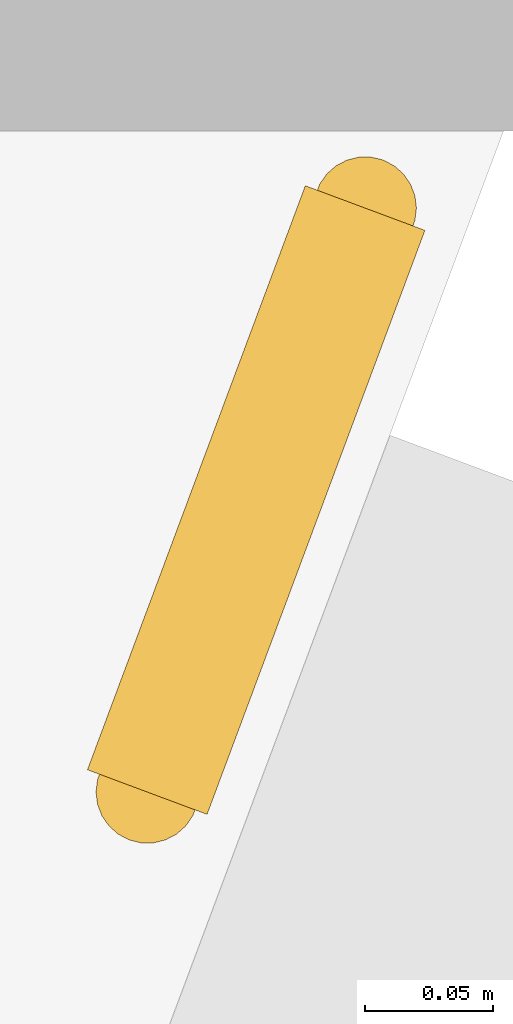
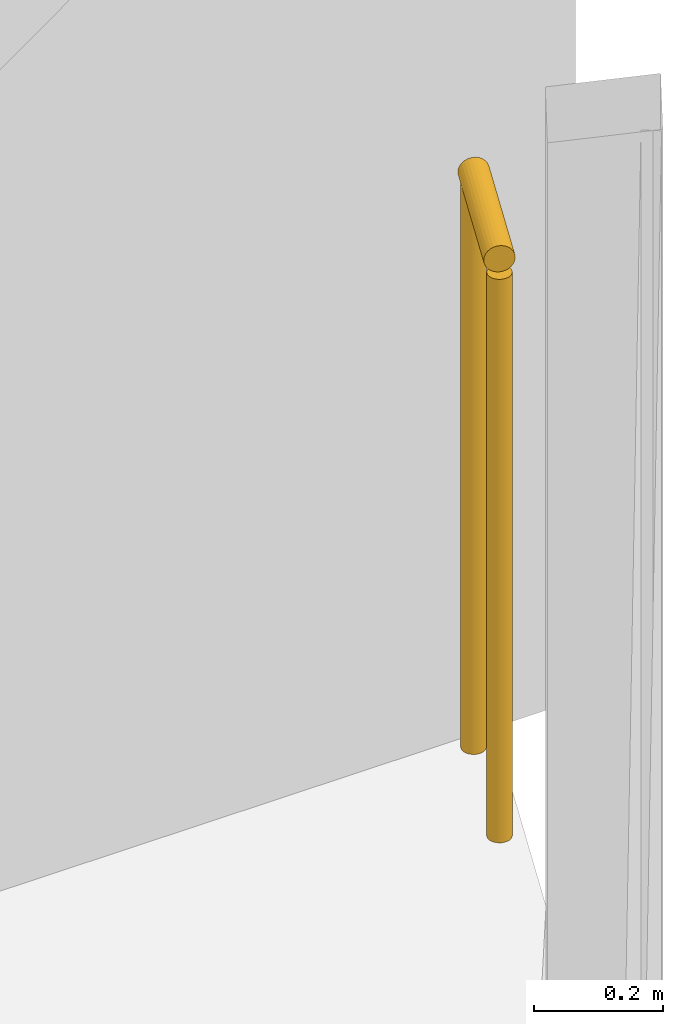
# One storey, part 30 of 31: 1 railing.
"""IFC4 building model written with IfcOpenShell, lengths in metres."""

from ifc_helpers import new_model, si_unit, direction, frame, origin, origin_2d, place, context, subcontext, project, spatial, circle, extrude, material, type_object, element, save


model = new_model("IFC4")

# Units and contexts
model_context = context("Model", 3, precision=1e-05, world=origin(), true_north=direction((0.0, 1.0)))
body_context = subcontext(model_context, "Body", "Model", "MODEL_VIEW")
ifc_project = project(units=[si_unit("LENGTHUNIT", "METRE"), si_unit("AREAUNIT", "SQUARE_METRE"), si_unit("VOLUMEUNIT", "CUBIC_METRE"), si_unit("PLANEANGLEUNIT", "RADIAN"), si_unit("MASSUNIT", "GRAM", prefix="KILO")], contexts=[model_context])

# Site, building, storey
site_placement = place(None, origin())
site = spatial("IfcSite", under=ifc_project, at=site_placement, CompositionType="ELEMENT")
building_placement = place(site_placement, origin())
building = spatial("IfcBuilding", under=site, at=building_placement, Name="Orlundy Tower", CompositionType="ELEMENT")
storey_placement = place(building_placement, frame((0.0, 0.0, 87.699951171875)))
storey = spatial("IfcBuildingStorey", under=building, at=storey_placement, Name="L21", CompositionType="ELEMENT", Elevation=87.699951171875)

# Railing
ifc_material = material(Name="Stainless steel bronze finish", Category="steel")
railing_type = type_object("IfcRailingType", Name="TG1 terrace guard", PredefinedType="GUARDRAIL", material=ifc_material)
railing_placement = place(storey_placement, frame((52.172607421875, -30.242919921875, 0.0)))
element("IfcRailing", 1, at=railing_placement, inside=storey, type_object=railing_type, Name="Guard TG-L21-E00", PredefinedType="GUARDRAIL", context=body_context, shape_type="SweptSolid", body=[
    extrude(circle(Radius=0.02490234375, at=origin_2d()), frame((0.0, 0.0, 1.09521484375), z_axis=(-0.34947210653, -0.936946768369, 0.0), x_axis=(0.936946768369, -0.34947210653, 0.0)), (0.0, 0.0, 1.0), 0.2431640625),
    extrude(circle(Radius=0.02001953125, at=origin_2d()), origin(), (0.0, 0.0, 1.0), 1.070068359375),
    extrude(circle(Radius=0.02001953125, at=origin_2d()), frame((-0.0849609375, -0.227783203125, 0.0)), (0.0, 0.0, 1.0), 1.070068359375),
])

save(model, "model.ifc")
